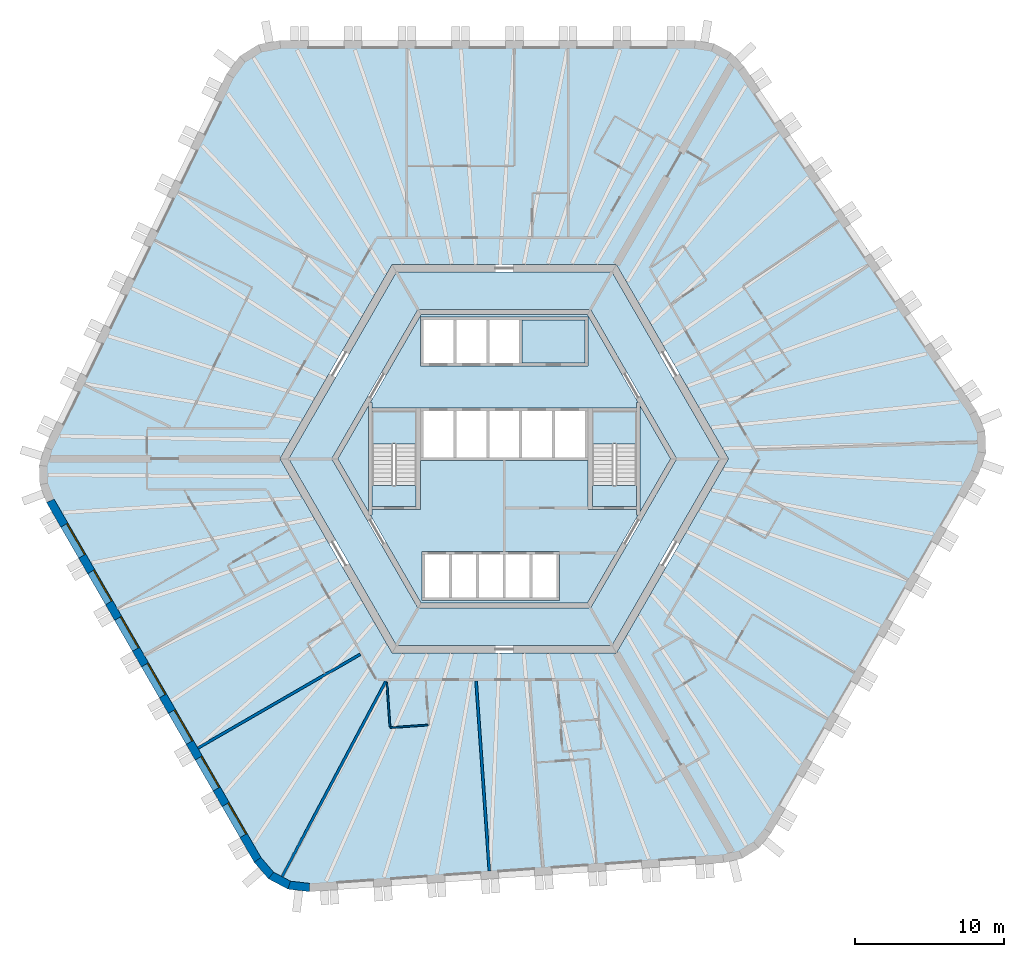
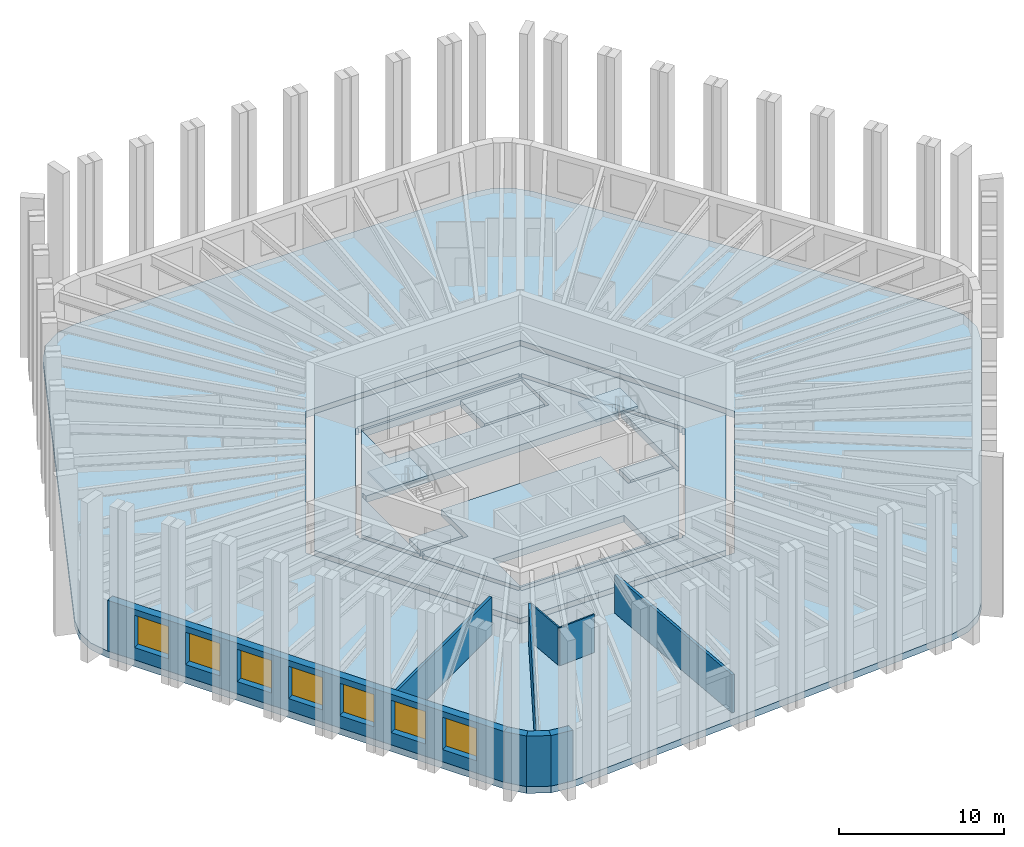
# One storey, part 2 of 10: 11 slabs, 9 walls, 7 windows, 7 openings, 2 elements without a shape of their own.
"""IFC4 building model written with IfcOpenShell, lengths in metres."""

from ifc_helpers import new_model, si_unit, direction, frame, frame_2d, origin, place, context, subcontext, project, spatial, polyline, rectangle, outline, extrude, material, layer, layer_set, type_object, element, fill, aggregate, save


model = new_model("IFC4")

# Units and contexts
model_context = context("Model", 3, precision=1e-05, world=origin(), true_north=direction((0.0, 1.0)))
body_context = subcontext(model_context, "Body", "Model", "MODEL_VIEW")
ifc_project = project(units=[si_unit("LENGTHUNIT", "METRE"), si_unit("AREAUNIT", "SQUARE_METRE"), si_unit("VOLUMEUNIT", "CUBIC_METRE"), si_unit("PLANEANGLEUNIT", "RADIAN"), si_unit("MASSUNIT", "GRAM", prefix="KILO")], contexts=[model_context])

# Site, building, storey
site_placement = place(None, origin())
site = spatial("IfcSite", under=ifc_project, at=site_placement, CompositionType="ELEMENT")
building_placement = place(site_placement, origin())
building = spatial("IfcBuilding", under=site, at=building_placement, Name="Tarnside Tower", CompositionType="ELEMENT")
storey_placement = place(building_placement, frame((0.0, 0.0, 152.699951171875)))
storey = spatial("IfcBuildingStorey", under=building, at=storey_placement, Name="L35", CompositionType="ELEMENT", Elevation=152.699951171875)

# Slabs
ifc_material_1 = material(Name="Concrete C35/45", Category="concrete")
ifc_layer_1 = layer(ifc_material_1, 0.5)
ifc_layer_set_1 = layer_set([ifc_layer_1], Name="Composite floor slab 500")
slab_type_1 = type_object("IfcSlabType", Name="Composite floor slab 500", PredefinedType="FLOOR", material=ifc_layer_set_1)
slab_1_placement = place(storey_placement, frame((0.0, 0.0, -0.5)))
element("IfcSlab", 1, at=slab_1_placement, inside=storey, type_object=slab_type_1, Name="Floor slab L35", PredefinedType="FLOOR", context=body_context, shape_type="SweptSolid", body=[
    extrude(outline(polyline([(14.04248046875, 27.793212890625), (15.189208984375, 27.183349609375), (16.064697265625, 26.25537109375), (31.613525390625, 3.203125), (32.1904296875, 1.86572265625), (32.2421875, 0.38427734375), (31.760009765625, -0.989990234375), (17.85693359375, -25.07080078125), (17.04833984375, -26.0576171875), (15.947021484375, -26.745849609375), (14.70556640625, -27.0400390625), (-13.03271484375, -28.979736328125), (-14.479248046875, -28.810546875), (-15.788330078125, -28.114501953125), (-16.7373046875, -27.010009765625), (-30.640380859375, -2.92919921875), (-31.0908203125, -1.7353515625), (-31.135986328125, -0.4375), (-30.77001953125, 0.78466796875), (-18.580810546875, 25.776611328125), (-17.711181640625, 26.94482421875), (-16.453857421875, 27.73046875), (-15.0224609375, 28.0), (12.783447265625, 28.0), (14.04248046875, 27.793212890625)]), holes=[polyline([(-15.010986328125, 0.0), (-7.505615234375, -13.0), (7.505615234375, -13.0), (15.010986328125, 0.0), (7.505615234375, 13.0), (-7.505615234375, 13.0), (-15.010986328125, 0.0)])]), origin(), (0.0, 0.0, 1.0), 0.5),
])
ifc_material_2 = material(Name="Concrete C60/75", Category="concrete")
ifc_layer_2 = layer(ifc_material_2, 0.5)
ifc_layer_set_2 = layer_set([ifc_layer_2], Name="Core transfer slab C60/75")
slab_type_2 = type_object("IfcSlabType", Name="Core transfer slab C60/75", PredefinedType="FLOOR", material=ifc_layer_set_2)
slab_2_placement = place(storey_placement, frame((0.0, 0.0, -0.5)))
element("IfcSlab", 2, at=slab_2_placement, inside=storey, type_object=slab_type_2, Name="L35 core floor slab 1", PredefinedType="FLOOR", context=body_context, shape_type="SweptSolid", body=[
    extrude(outline(polyline([(-14.433837890625, 0.0), (-7.216796875, 12.5), (7.216796875, 12.5), (14.433837890625, 0.0), (7.216796875, -12.5), (-7.216796875, -12.5), (-14.433837890625, 0.0)]), holes=[polyline([(5.823974609375, -9.91259765625), (11.49658203125, -0.08740234375), (11.344970703125, 0.0), (11.49658203125, 0.08740234375), (5.823974609375, 9.91259765625), (5.672607421875, 9.824951171875), (5.672607421875, 10.0), (-5.672607421875, 10.0), (-5.672607421875, 9.824951171875), (-5.823974609375, 9.91259765625), (-11.49658203125, 0.08740234375), (-11.344970703125, 0.0), (-11.49658203125, -0.08740234375), (-5.823974609375, -9.91259765625), (-5.672607421875, -9.824951171875), (-5.672607421875, -10.0), (5.672607421875, -10.0), (5.672607421875, -9.824951171875), (5.823974609375, -9.91259765625)])]), origin(), (0.0, 0.0, 1.0), 0.5),
])
slab_3_placement = place(storey_placement, frame((0.0, 0.0, -0.5)))
element("IfcSlab", 3, at=slab_3_placement, inside=storey, type_object=slab_type_2, Name="L35 core floor slab 2", PredefinedType="FLOOR", context=body_context, shape_type="SweptSolid", body=[
    extrude(outline(polyline([(-8.97509765625, 3.7548828125), (-5.5712890625, 9.64990234375), (5.5712890625, 9.64990234375), (8.97509765625, 3.7548828125), (8.85009765625, 3.7548828125), (8.85009765625, 3.39990234375), (5.89990234375, 3.39990234375), (5.60009765625, 3.39990234375), (5.60009765625, 3.39990234375), (-5.60009765625, 3.39990234375), (-5.89990234375, 3.39990234375), (-8.85009765625, 3.39990234375), (-8.85009765625, 3.7548828125), (-8.97509765625, 3.7548828125)]), holes=[polyline([(-5.60009765625, 6.199951171875), (5.60009765625, 6.199951171875), (5.60009765625, 6.39990234375), (5.60009765625, 9.300048828125), (5.60009765625, 9.5), (-5.60009765625, 9.5), (-5.60009765625, 9.300048828125), (-5.60009765625, 6.39990234375), (-5.60009765625, 6.199951171875)])]), origin(), (0.0, 0.0, 1.0), 0.5),
])
slab_4_placement = place(storey_placement, frame((0.0, 0.0, -0.5)))
element("IfcSlab", 4, at=slab_4_placement, inside=storey, type_object=slab_type_2, Name="L35 core floor slab 3", PredefinedType="FLOOR", context=body_context, shape_type="SweptSolid", body=[
    extrude(outline(polyline([(5.60009765625, -3.39990234375), (5.89990234375, -3.39990234375), (8.85009765625, -3.39990234375), (8.85009765625, -3.7548828125), (8.97509765625, -3.7548828125), (5.5712890625, -9.64990234375), (-5.5712890625, -9.64990234375), (-8.97509765625, -3.7548828125), (-8.85009765625, -3.7548828125), (-8.85009765625, -3.39990234375), (-5.89990234375, -3.39990234375), (-5.60009765625, -3.39990234375), (-5.60009765625, -0.10009765625), (5.60009765625, -0.10009765625), (5.60009765625, -3.39990234375)]), holes=[polyline([(-5.5, -9.300048828125), (-5.5, -9.5), (3.699951171875, -9.5), (3.699951171875, -9.300048828125), (3.699951171875, -6.39990234375), (3.699951171875, -6.199951171875), (-5.5, -6.199951171875), (-5.5, -6.39990234375), (-5.5, -9.300048828125)])]), origin(), (0.0, 0.0, 1.0), 0.5),
])
slab_5_placement = place(storey_placement, frame((0.0, 0.0, -0.5)))
element("IfcSlab", 5, at=slab_5_placement, inside=storey, type_object=slab_type_2, Name="L35 core floor slab 4", PredefinedType="FLOOR", context=body_context, shape_type="SweptSolid", body=[
    extrude(outline(polyline([(-11.142822265625, 0.0), (-9.10009765625, 3.538330078125), (-9.10009765625, -3.538330078125), (-11.142822265625, 0.0)])), origin(), (0.0, 0.0, 1.0), 0.5),
])
slab_6_placement = place(storey_placement, frame((0.0, 0.0, -0.5)))
element("IfcSlab", 6, at=slab_6_placement, inside=storey, type_object=slab_type_2, Name="L35 core floor slab 5", PredefinedType="FLOOR", context=body_context, shape_type="SweptSolid", body=[
    extrude(outline(polyline([(-8.85009765625, -1.800048828125), (-5.89990234375, -1.800048828125), (-5.89990234375, -3.199951171875), (-8.85009765625, -3.199951171875), (-8.85009765625, -1.800048828125)])), origin(), (0.0, 0.0, 1.0), 0.5),
])
slab_7_placement = place(storey_placement, frame((0.0, 0.0, -0.5)))
element("IfcSlab", 7, at=slab_7_placement, inside=storey, type_object=slab_type_2, Name="L35 core floor slab 6", PredefinedType="FLOOR", context=body_context, shape_type="SweptSolid", body=[
    extrude(outline(polyline([(5.89990234375, -3.199951171875), (5.89990234375, -1.800048828125), (8.85009765625, -1.800048828125), (8.85009765625, -3.199951171875), (5.89990234375, -3.199951171875)])), origin(), (0.0, 0.0, 1.0), 0.5),
])
slab_8_placement = place(storey_placement, frame((0.0, 0.0, -0.5)))
element("IfcSlab", 8, at=slab_8_placement, inside=storey, type_object=slab_type_2, Name="L35 core floor slab 7", PredefinedType="FLOOR", context=body_context, shape_type="SweptSolid", body=[
    extrude(outline(polyline([(9.10009765625, -3.538330078125), (9.10009765625, 3.538330078125), (11.142822265625, 0.0), (9.10009765625, -3.538330078125)])), origin(), (0.0, 0.0, 1.0), 0.5),
])
slab_9_placement = place(storey_placement, frame((0.0, 0.0, -0.5)))
element("IfcSlab", 9, at=slab_9_placement, inside=storey, type_object=slab_type_2, Name="L35 core floor slab 8", PredefinedType="FLOOR", context=body_context, shape_type="SweptSolid", body=[
    extrude(outline(polyline([(5.39990234375, 9.300048828125), (5.39990234375, 6.39990234375), (1.199951171875, 6.39990234375), (1.199951171875, 9.300048828125), (5.39990234375, 9.300048828125)])), origin(), (0.0, 0.0, 1.0), 0.5),
])

# Stair, slab
ifc_material_3 = material(Name="Concrete C40/50", Category="concrete")
stair_type = type_object("IfcStairType", Name="Exit stair 1400 clear", PredefinedType="HALF_TURN_STAIR", material=ifc_material_3)
stair_1_placement = place(storey_placement, origin())
stair_1 = element("IfcStair", 10, at=stair_1_placement, inside=storey, type_object=stair_type, Name="L35 Exit stair 1", PredefinedType="HALF_TURN_STAIR")
ifc_layer_3 = layer(ifc_material_3, 0.199951171875)
ifc_layer_set_3 = layer_set([ifc_layer_3], Name="Stair landing 200 C40/50")
slab_type_3 = type_object("IfcSlabType", Name="Stair landing 200 C40/50", PredefinedType="LANDING", material=ifc_layer_set_3)
slab_10_placement = place(storey_placement, frame((0.0, 0.0, 1.75)))
slab_10 = element("IfcSlab", 11, at=slab_10_placement, type_object=slab_type_3, Name="ST1 landing 1", PredefinedType="LANDING", context=body_context, shape_type="SweptSolid", body=[
    extrude(outline(polyline([(8.85009765625, 1.0), (8.85009765625, 3.199951171875), (5.89990234375, 3.199951171875), (5.89990234375, 1.0), (8.85009765625, 1.0)])), origin(), (0.0, 0.0, 1.0), 0.199951171875),
])
aggregate(stair_1, [slab_10])

stair_2_placement = place(storey_placement, origin())
stair_2 = element("IfcStair", 12, at=stair_2_placement, inside=storey, type_object=stair_type, Name="L35 Exit stair 2", PredefinedType="HALF_TURN_STAIR")
slab_11_placement = place(storey_placement, frame((0.0, 0.0, 1.75)))
slab_11 = element("IfcSlab", 13, at=slab_11_placement, type_object=slab_type_3, Name="ST2 landing 1", PredefinedType="LANDING", context=body_context, shape_type="SweptSolid", body=[
    extrude(outline(polyline([(-5.89990234375, 1.0), (-5.89990234375, 3.199951171875), (-8.85009765625, 3.199951171875), (-8.85009765625, 1.0), (-5.89990234375, 1.0)])), origin(), (0.0, 0.0, 1.0), 0.199951171875),
])
aggregate(stair_2, [slab_11])

# Walls
ifc_material_4 = material(Name="Gypsum board partition on steel studs", Category="steel")
ifc_layer_4 = layer(ifc_material_4, 0.10009765625)
ifc_layer_set_4 = layer_set([ifc_layer_4], Name="Bathroom wall 100")
wall_type_1 = type_object("IfcWallType", Name="Bathroom wall 100", PredefinedType="PARTITIONING", material=ifc_layer_set_4)
wall_1_placement = place(storey_placement, frame((-5.101806640625, -17.82275390625, 0.0), z_axis=(0.0, 0.0, 1.0), x_axis=(-0.997561167558, -0.069797686069, 0.0)))
element("IfcWall", 14, at=wall_1_placement, inside=storey, type_object=wall_type_1, Name="Bathroom wall 11081", PredefinedType="PARTITIONING", context=body_context, shape_type="SweptSolid", body=[
    extrude(rectangle(XDim=2.5498046875, YDim=0.10009765625, at=frame_2d((1.27490234375, 0.0))), origin(), (0.0, 0.0, 1.0), 2.823486328125),
])
wall_2_placement = place(storey_placement, frame((-7.64892578125, -17.950927734375, 0.0), z_axis=(0.0, 0.0, 1.0), x_axis=(-0.069760844897, 0.997563744589, 0.0)))
element("IfcWall", 15, at=wall_2_placement, inside=storey, type_object=wall_type_1, Name="Bathroom wall 11082", PredefinedType="PARTITIONING", context=body_context, shape_type="SweptSolid", body=[
    extrude(rectangle(XDim=2.98876953125, YDim=0.10009765625, at=frame_2d((1.494384765625, 0.0))), origin(), (0.0, 0.0, 1.0), 2.823486328125),
])
ifc_layer_5 = layer(ifc_material_4, 0.179931640625)
ifc_layer_set_5 = layer_set([ifc_layer_5], Name="Demising wall 180 EI 60")
wall_type_2 = type_object("IfcWallType", Name="Demising wall 180 EI 60", PredefinedType="PARTITIONING", material=ifc_layer_set_5)
wall_3_placement = place(storey_placement, frame((-20.513427734375, -19.36962890625, 0.0), z_axis=(0.0, 0.0, 1.0), x_axis=(0.866019402111, 0.500010395058, 0.0)))
element("IfcWall", 16, at=wall_3_placement, inside=storey, type_object=wall_type_2, Name="Demising wall 11077", PredefinedType="PARTITIONING", context=body_context, shape_type="SweptSolid", body=[
    extrude(rectangle(XDim=12.574951171875, YDim=0.179931640625, at=frame_2d((6.28759765625, 0.0))), origin(), (0.0, 0.0, 1.0), 2.823486328125),
])
wall_4_placement = place(storey_placement, frame((-14.875732421875, -27.97705078125, 0.0), z_axis=(0.0, 0.0, 1.0), x_axis=(0.469475175214, 0.882945672088, 0.0)))
element("IfcWall", 17, at=wall_4_placement, inside=storey, type_object=wall_type_2, Name="Demising wall 11079", PredefinedType="PARTITIONING", context=body_context, shape_type="SweptSolid", body=[
    extrude(rectangle(XDim=14.839111328125, YDim=0.179931640625, at=frame_2d((7.41943359375, 0.0))), origin(), (0.0, 0.0, 1.0), 2.823486328125),
])
wall_5_placement = place(storey_placement, frame((-0.99609375, -27.586669921875, 0.0), z_axis=(0.0, 0.0, 1.0), x_axis=(-0.069758774678, 0.99756388936, 0.0)))
element("IfcWall", 18, at=wall_5_placement, inside=storey, type_object=wall_type_2, Name="Demising wall 11083", PredefinedType="PARTITIONING", context=body_context, shape_type="SweptSolid", body=[
    extrude(rectangle(XDim=12.74267578125, YDim=0.179931640625, at=frame_2d((6.371337890625, 0.0))), origin(), (0.0, 0.0, 1.0), 2.823486328125),
])

# Wall, openings, windows
ifc_material_5 = material(Name="Facing brick", Category="masonry")
ifc_layer_6 = layer(ifc_material_5, 0.10205078125)
ifc_material_6 = material(Name="Concrete C60/75 precast", Category="concrete")
ifc_layer_7 = layer(ifc_material_6, 0.347900390625)
ifc_material_7 = material(Name="Mineral wool insulation")
ifc_layer_8 = layer(ifc_material_7, 0.10009765625)
ifc_layer_set_6 = layer_set([ifc_layer_6, ifc_layer_7, ifc_layer_8], Name="Tube wall 550 brick faced")
wall_type_3 = type_object("IfcWallType", Name="Tube wall 550 brick faced", PredefinedType="SOLIDWALL", material=ifc_layer_set_6)
wall_6_placement = place(storey_placement, frame((-30.39111328125, -2.81103515625, 0.0), z_axis=(0.0, 0.0, 1.0), x_axis=(0.499998569178, -0.866026229868, 0.0)))
wall_6 = element("IfcWall", 19, at=wall_6_placement, inside=storey, type_object=wall_type_3, Name="Tube wall L35 F3 flush 08", PredefinedType="SOLIDWALL", context=body_context, shape_type="SweptSolid", body=[
    extrude(outline(polyline([(-0.0224609375, -0.27490234375), (27.783447265625, -0.27490234375), (27.732177734375, 0.27490234375), (0.0224609375, 0.27490234375), (-0.0224609375, -0.27490234375)])), origin(), (0.0, 0.0, 1.0), 3.75),
])
opening_1_placement = place(wall_6_placement, frame((1.87890625, 0.0, 0.89990234375)))
opening_1 = element("IfcOpeningElement", 20, at=opening_1_placement, cuts=wall_6, Name="Opening WH", PredefinedType="OPENING", context=body_context, shape_type="SweptSolid", body=[
    extrude(rectangle(XDim=2.39990234375, YDim=2.39990234375, at=frame_2d((1.199951171875, 1.199951171875))), frame((0.0, 0.28515625, 0.0), z_axis=(0.0, -1.0, 0.0), x_axis=(1.0, 0.0, 0.0)), (0.0, 0.0, 1.0), 0.570068359375),
])
opening_2_placement = place(wall_6_placement, frame((5.47900390625, 0.0, 0.89990234375)))
opening_2 = element("IfcOpeningElement", 21, at=opening_2_placement, cuts=wall_6, Name="Opening WH", PredefinedType="OPENING", context=body_context, shape_type="SweptSolid", body=[
    extrude(rectangle(XDim=2.39990234375, YDim=2.39990234375, at=frame_2d((1.199951171875, 1.199951171875))), frame((0.0, 0.28515625, 0.0), z_axis=(0.0, -1.0, 0.0), x_axis=(1.0, 0.0, 0.0)), (0.0, 0.0, 1.0), 0.570068359375),
])
opening_3_placement = place(wall_6_placement, frame((9.078857421875, 0.0, 0.89990234375)))
opening_3 = element("IfcOpeningElement", 22, at=opening_3_placement, cuts=wall_6, Name="Opening WH", PredefinedType="OPENING", context=body_context, shape_type="SweptSolid", body=[
    extrude(rectangle(XDim=2.39990234375, YDim=2.39990234375, at=frame_2d((1.199951171875, 1.199951171875))), frame((0.0, 0.28515625, 0.0), z_axis=(0.0, -1.0, 0.0), x_axis=(1.0, 0.0, 0.0)), (0.0, 0.0, 1.0), 0.570068359375),
])
opening_4_placement = place(wall_6_placement, frame((12.678955078125, 0.0, 0.89990234375)))
opening_4 = element("IfcOpeningElement", 23, at=opening_4_placement, cuts=wall_6, Name="Opening WH", PredefinedType="OPENING", context=body_context, shape_type="SweptSolid", body=[
    extrude(rectangle(XDim=2.39990234375, YDim=2.39990234375, at=frame_2d((1.199951171875, 1.199951171875))), frame((0.0, 0.28515625, 0.0), z_axis=(0.0, -1.0, 0.0), x_axis=(1.0, 0.0, 0.0)), (0.0, 0.0, 1.0), 0.570068359375),
])
opening_5_placement = place(wall_6_placement, frame((16.27880859375, 0.0, 0.89990234375)))
opening_5 = element("IfcOpeningElement", 24, at=opening_5_placement, cuts=wall_6, Name="Opening WH", PredefinedType="OPENING", context=body_context, shape_type="SweptSolid", body=[
    extrude(rectangle(XDim=2.39990234375, YDim=2.39990234375, at=frame_2d((1.199951171875, 1.199951171875))), frame((0.0, 0.28515625, 0.0), z_axis=(0.0, -1.0, 0.0), x_axis=(1.0, 0.0, 0.0)), (0.0, 0.0, 1.0), 0.570068359375),
])
opening_6_placement = place(wall_6_placement, frame((19.87890625, 0.0, 0.89990234375)))
opening_6 = element("IfcOpeningElement", 25, at=opening_6_placement, cuts=wall_6, Name="Opening WH", PredefinedType="OPENING", context=body_context, shape_type="SweptSolid", body=[
    extrude(rectangle(XDim=2.39990234375, YDim=2.39990234375, at=frame_2d((1.199951171875, 1.199951171875))), frame((0.0, 0.28515625, 0.0), z_axis=(0.0, -1.0, 0.0), x_axis=(1.0, 0.0, 0.0)), (0.0, 0.0, 1.0), 0.570068359375),
])
opening_7_placement = place(wall_6_placement, frame((23.47900390625, 0.0, 0.89990234375)))
opening_7 = element("IfcOpeningElement", 26, at=opening_7_placement, cuts=wall_6, Name="Opening WH", PredefinedType="OPENING", context=body_context, shape_type="SweptSolid", body=[
    extrude(rectangle(XDim=2.39990234375, YDim=2.39990234375, at=frame_2d((1.199951171875, 1.199951171875))), frame((0.0, 0.28515625, 0.0), z_axis=(0.0, -1.0, 0.0), x_axis=(1.0, 0.0, 0.0)), (0.0, 0.0, 1.0), 0.570068359375),
])
ifc_material_8 = material(Name="Aluminium-framed double glazing", Category="aluminium")
window_type = type_object("IfcWindowType", Name="Hotel window 2400 x 2400", PartitioningType="DOUBLE_PANEL_VERTICAL", PredefinedType="WINDOW", material=ifc_material_8)
window_1_placement = place(opening_1_placement, frame((0.0, 0.205078125, 0.0)))
window_1 = element("IfcWindow", 27, at=window_1_placement, inside=storey, type_object=window_type, Name="E.WN.L35.F3.00", OverallHeight=2.39990234375, OverallWidth=2.39990234375, PartitioningType="DOUBLE_PANEL_VERTICAL", PredefinedType="WINDOW", context=body_context, shape_type="SweptSolid", body=[
    extrude(rectangle(XDim=2.39990234375, YDim=2.39990234375, at=frame_2d((1.199951171875, 1.199951171875))), frame((0.0, 0.030029296875, 0.0), z_axis=(0.0, -1.0, 0.0), x_axis=(1.0, 0.0, 0.0)), (0.0, 0.0, 1.0), 0.06005859375),
])
fill(opening_1, window_1)
window_2_placement = place(opening_2_placement, frame((0.0, 0.205078125, 0.0)))
window_2 = element("IfcWindow", 28, at=window_2_placement, inside=storey, type_object=window_type, Name="E.WN.L35.F3.01", OverallHeight=2.39990234375, OverallWidth=2.39990234375, PartitioningType="DOUBLE_PANEL_VERTICAL", PredefinedType="WINDOW", context=body_context, shape_type="SweptSolid", body=[
    extrude(rectangle(XDim=2.39990234375, YDim=2.39990234375, at=frame_2d((1.199951171875, 1.199951171875))), frame((0.0, 0.030029296875, 0.0), z_axis=(0.0, -1.0, 0.0), x_axis=(1.0, 0.0, 0.0)), (0.0, 0.0, 1.0), 0.06005859375),
])
fill(opening_2, window_2)
window_3_placement = place(opening_3_placement, frame((0.0, 0.205078125, 0.0)))
window_3 = element("IfcWindow", 29, at=window_3_placement, inside=storey, type_object=window_type, Name="E.WN.L35.F3.02", OverallHeight=2.39990234375, OverallWidth=2.39990234375, PartitioningType="DOUBLE_PANEL_VERTICAL", PredefinedType="WINDOW", context=body_context, shape_type="SweptSolid", body=[
    extrude(rectangle(XDim=2.39990234375, YDim=2.39990234375, at=frame_2d((1.199951171875, 1.199951171875))), frame((0.0, 0.030029296875, 0.0), z_axis=(0.0, -1.0, 0.0), x_axis=(1.0, 0.0, 0.0)), (0.0, 0.0, 1.0), 0.06005859375),
])
fill(opening_3, window_3)
window_4_placement = place(opening_4_placement, frame((0.0, 0.205078125, 0.0)))
window_4 = element("IfcWindow", 30, at=window_4_placement, inside=storey, type_object=window_type, Name="E.WN.L35.F3.03", OverallHeight=2.39990234375, OverallWidth=2.39990234375, PartitioningType="DOUBLE_PANEL_VERTICAL", PredefinedType="WINDOW", context=body_context, shape_type="SweptSolid", body=[
    extrude(rectangle(XDim=2.39990234375, YDim=2.39990234375, at=frame_2d((1.199951171875, 1.199951171875))), frame((0.0, 0.030029296875, 0.0), z_axis=(0.0, -1.0, 0.0), x_axis=(1.0, 0.0, 0.0)), (0.0, 0.0, 1.0), 0.06005859375),
])
fill(opening_4, window_4)
window_5_placement = place(opening_5_placement, frame((0.0, 0.205078125, 0.0)))
window_5 = element("IfcWindow", 31, at=window_5_placement, inside=storey, type_object=window_type, Name="E.WN.L35.F3.04", OverallHeight=2.39990234375, OverallWidth=2.39990234375, PartitioningType="DOUBLE_PANEL_VERTICAL", PredefinedType="WINDOW", context=body_context, shape_type="SweptSolid", body=[
    extrude(rectangle(XDim=2.39990234375, YDim=2.39990234375, at=frame_2d((1.199951171875, 1.199951171875))), frame((0.0, 0.030029296875, 0.0), z_axis=(0.0, -1.0, 0.0), x_axis=(1.0, 0.0, 0.0)), (0.0, 0.0, 1.0), 0.06005859375),
])
fill(opening_5, window_5)
window_6_placement = place(opening_6_placement, frame((0.0, 0.205078125, 0.0)))
window_6 = element("IfcWindow", 32, at=window_6_placement, inside=storey, type_object=window_type, Name="E.WN.L35.F3.05", OverallHeight=2.39990234375, OverallWidth=2.39990234375, PartitioningType="DOUBLE_PANEL_VERTICAL", PredefinedType="WINDOW", context=body_context, shape_type="SweptSolid", body=[
    extrude(rectangle(XDim=2.39990234375, YDim=2.39990234375, at=frame_2d((1.199951171875, 1.199951171875))), frame((0.0, 0.030029296875, 0.0), z_axis=(0.0, -1.0, 0.0), x_axis=(1.0, 0.0, 0.0)), (0.0, 0.0, 1.0), 0.06005859375),
])
fill(opening_6, window_6)
window_7_placement = place(opening_7_placement, frame((0.0, 0.205078125, 0.0)))
window_7 = element("IfcWindow", 33, at=window_7_placement, inside=storey, type_object=window_type, Name="E.WN.L35.F3.06", OverallHeight=2.39990234375, OverallWidth=2.39990234375, PartitioningType="DOUBLE_PANEL_VERTICAL", PredefinedType="WINDOW", context=body_context, shape_type="SweptSolid", body=[
    extrude(rectangle(XDim=2.39990234375, YDim=2.39990234375, at=frame_2d((1.199951171875, 1.199951171875))), frame((0.0, 0.030029296875, 0.0), z_axis=(0.0, -1.0, 0.0), x_axis=(1.0, 0.0, 0.0)), (0.0, 0.0, 1.0), 0.06005859375),
])
fill(opening_7, window_7)

# Walls
wall_7_placement = place(storey_placement, frame((-16.51220703125, -26.85009765625, 0.0), z_axis=(0.0, 0.0, 1.0), x_axis=(0.651621950847, -0.758543890078, 0.0)))
element("IfcWall", 34, at=wall_7_placement, inside=storey, type_object=wall_type_3, Name="Tube wall L35 F3 chord 09", PredefinedType="SOLIDWALL", context=body_context, shape_type="SweptSolid", body=[
    extrude(outline(polyline([(-0.025634765625, -0.27490234375), (1.430908203125, -0.27490234375), (1.327392578125, 0.27490234375), (0.025634765625, 0.27490234375), (-0.025634765625, -0.27490234375)])), origin(), (0.0, 0.0, 1.0), 3.75),
])
wall_8_placement = place(storey_placement, frame((-15.613525390625, -27.896240234375, 0.0), z_axis=(0.0, 0.0, 1.0), x_axis=(0.882994189209, -0.469383917304, 0.0)))
element("IfcWall", 35, at=wall_8_placement, inside=storey, type_object=wall_type_3, Name="Tube wall L35 F3 chord 10", PredefinedType="SOLIDWALL", context=body_context, shape_type="SweptSolid", body=[
    extrude(outline(polyline([(-0.0517578125, -0.27490234375), (1.4306640625, -0.27490234375), (1.3271484375, 0.27490234375), (0.0517578125, 0.27490234375), (-0.0517578125, -0.27490234375)])), origin(), (0.0, 0.0, 1.0), 3.75),
])
wall_9_placement = place(storey_placement, frame((-14.39599609375, -28.54345703125, 0.0), z_axis=(0.0, 0.0, 1.0), x_axis=(0.993232537394, -0.11614269956, 0.0)))
element("IfcWall", 36, at=wall_9_placement, inside=storey, type_object=wall_type_3, Name="Tube wall L35 F3 chord 11", PredefinedType="SOLIDWALL", context=body_context, shape_type="SweptSolid", body=[
    extrude(outline(polyline([(-0.0517578125, -0.27490234375), (1.404541015625, -0.27490234375), (1.353271484375, 0.27490234375), (0.0517578125, 0.27490234375), (-0.0517578125, -0.27490234375)])), origin(), (0.0, 0.0, 1.0), 3.75),
])

save(model, "model.ifc")
